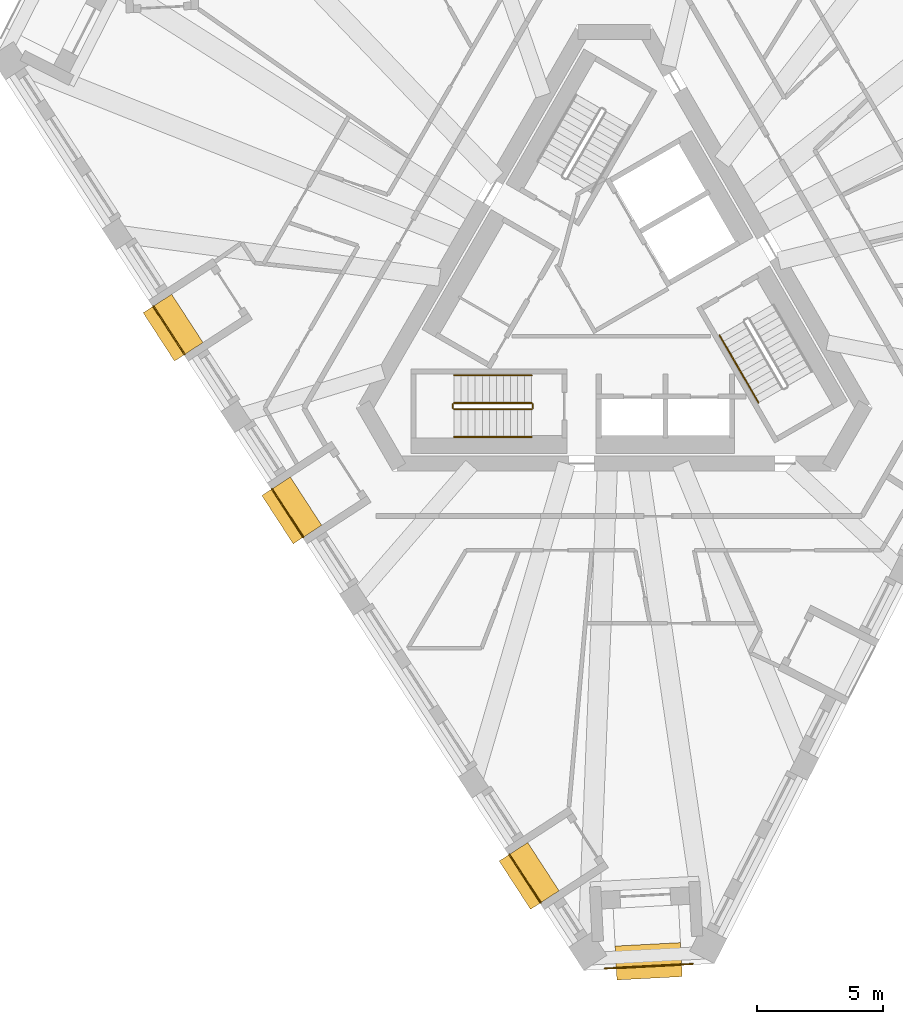
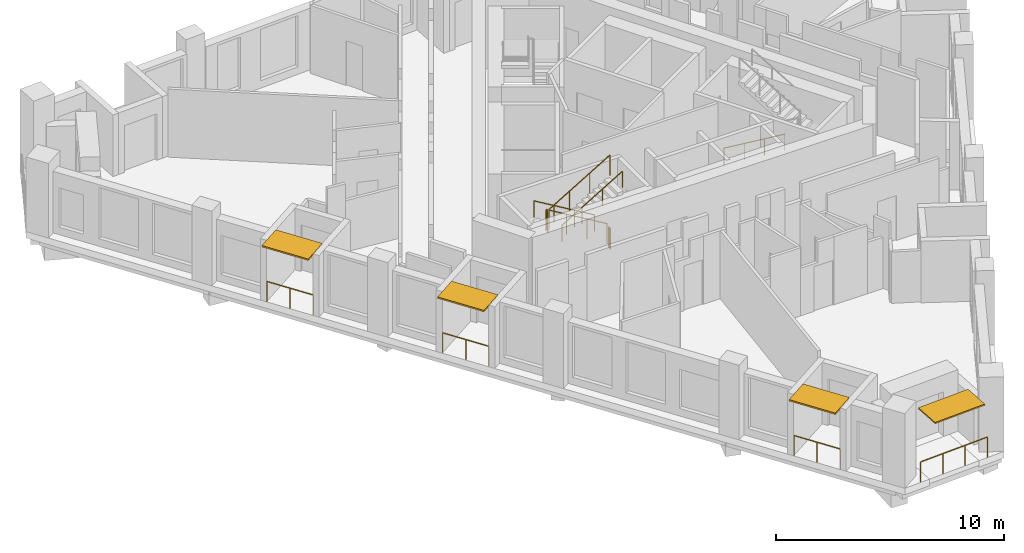
# One storey, part 10 of 13: 11 railings, 4 shading devices.
"""IFC4 building model written with IfcOpenShell, lengths in metres."""

from ifc_helpers import new_model, si_unit, direction, frame, origin, origin_2d, place, context, subcontext, project, spatial, rectangle, circle, extrude, material, layer, layer_set, type_object, element, save


model = new_model("IFC4")

# Units and contexts
model_context = context("Model", 3, precision=1e-05, world=origin(), true_north=direction((0.0, 1.0)))
body_context = subcontext(model_context, "Body", "Model", "MODEL_VIEW")
ifc_project = project(units=[si_unit("LENGTHUNIT", "METRE"), si_unit("AREAUNIT", "SQUARE_METRE"), si_unit("VOLUMEUNIT", "CUBIC_METRE"), si_unit("PLANEANGLEUNIT", "RADIAN"), si_unit("MASSUNIT", "GRAM", prefix="KILO")], contexts=[model_context])

# Site, building, storey
site_placement = place(None, origin())
site = spatial("IfcSite", under=ifc_project, at=site_placement, CompositionType="ELEMENT")
building_placement = place(site_placement, origin())
building = spatial("IfcBuilding", under=site, at=building_placement, Name="Tramontana Tower", CompositionType="ELEMENT")
storey_placement = place(building_placement, frame((0.0, 0.0, 286.39990234375)))
storey = spatial("IfcBuildingStorey", under=building, at=storey_placement, Name="L67", CompositionType="ELEMENT", Elevation=286.39990234375)

# Railings
ifc_material_1 = material(Name="Laminated glass balustrade", Category="glass")
railing_type_1 = type_object("IfcRailingType", Name="GD1 Loggia glass balustrade 1100", PredefinedType="BALUSTRADE", material=ifc_material_1)
railing_1_placement = place(storey_placement, frame((-18.313720703125, -0.20361328125, 0.0)))
element("IfcRailing", 1, at=railing_1_placement, inside=storey, type_object=railing_type_1, Name="Loggia balustrade L67 G7S0.4", PredefinedType="BALUSTRADE", context=body_context, shape_type="SweptSolid", body=[
    extrude(circle(Radius=0.02392578125, at=origin_2d()), frame((0.0, 0.0, 1.076171875), z_axis=(0.544706869801, -0.83862651162, 0.0), x_axis=(0.83862651162, 0.544706869801, 0.0)), (0.0, 0.0, 1.0), 2.286865234375),
    extrude(circle(Radius=0.02099609375, at=origin_2d()), origin(), (0.0, 0.0, 1.0), 1.052001953125),
    extrude(circle(Radius=0.02099609375, at=origin_2d()), frame((0.622802734375, -0.958984375, 0.0)), (0.0, 0.0, 1.0), 1.052001953125),
    extrude(circle(Radius=0.02099609375, at=origin_2d()), frame((1.24560546875, -1.917724609375, 0.0)), (0.0, 0.0, 1.0), 1.052001953125),
])
railing_2_placement = place(storey_placement, frame((-13.596923828125, -7.466552734375, 0.0)))
element("IfcRailing", 2, at=railing_2_placement, inside=storey, type_object=railing_type_1, Name="Loggia balustrade L67 G7S0.7", PredefinedType="BALUSTRADE", context=body_context, shape_type="SweptSolid", body=[
    extrude(circle(Radius=0.02392578125, at=origin_2d()), frame((0.0, 0.0, 1.076171875), z_axis=(0.544583011522, -0.838706947367, 0.0), x_axis=(0.838706947367, 0.544583011522, 0.0)), (0.0, 0.0, 1.0), 2.286865234375),
    extrude(circle(Radius=0.02099609375, at=origin_2d()), origin(), (0.0, 0.0, 1.0), 1.052001953125),
    extrude(circle(Radius=0.02099609375, at=origin_2d()), frame((0.62255859375, -0.958984375, 0.0)), (0.0, 0.0, 1.0), 1.052001953125),
    extrude(circle(Radius=0.02099609375, at=origin_2d()), frame((1.245361328125, -1.91796875, 0.0)), (0.0, 0.0, 1.0), 1.052001953125),
])
railing_3_placement = place(storey_placement, frame((-4.16357421875, -21.992919921875, 0.0)))
element("IfcRailing", 3, at=railing_3_placement, inside=storey, type_object=railing_type_1, Name="Loggia balustrade L67 G7S0.13", PredefinedType="BALUSTRADE", context=body_context, shape_type="SweptSolid", body=[
    extrude(circle(Radius=0.02392578125, at=origin_2d()), frame((0.0, 0.0, 1.076171875), z_axis=(0.544706869801, -0.83862651162, 0.0), x_axis=(0.83862651162, 0.544706869801, 0.0)), (0.0, 0.0, 1.0), 2.286865234375),
    extrude(circle(Radius=0.02099609375, at=origin_2d()), origin(), (0.0, 0.0, 1.0), 1.052001953125),
    extrude(circle(Radius=0.02099609375, at=origin_2d()), frame((0.622802734375, -0.958984375, 0.0)), (0.0, 0.0, 1.0), 1.052001953125),
    extrude(circle(Radius=0.02099609375, at=origin_2d()), frame((1.24560546875, -1.917724609375, 0.0)), (0.0, 0.0, 1.0), 1.052001953125),
])
railing_4_placement = place(storey_placement, frame((3.1328125, -26.342041015625, 0.0)))
element("IfcRailing", 4, at=railing_4_placement, inside=storey, type_object=railing_type_1, Name="Corner loggia balustrade L67 K71", PredefinedType="BALUSTRADE", context=body_context, shape_type="SweptSolid", body=[
    extrude(circle(Radius=0.02392578125, at=origin_2d()), frame((0.0, 0.0, 1.076171875), z_axis=(-0.998626871225, -0.0523867547, 0.0), x_axis=(0.0523867547, -0.998626871225, 0.0)), (0.0, 0.0, 1.0), 3.5),
    extrude(circle(Radius=0.02099609375, at=origin_2d()), origin(), (0.0, 0.0, 1.0), 1.052001953125),
    extrude(circle(Radius=0.02099609375, at=origin_2d()), frame((-1.1650390625, -0.06103515625, 0.0)), (0.0, 0.0, 1.0), 1.052001953125),
    extrude(circle(Radius=0.02099609375, at=origin_2d()), frame((-2.330078125, -0.122314453125, 0.0)), (0.0, 0.0, 1.0), 1.052001953125),
    extrude(circle(Radius=0.02099609375, at=origin_2d()), frame((-3.4951171875, -0.183349609375, 0.0)), (0.0, 0.0, 1.0), 1.052001953125),
])

# Shading devices
ifc_material_2 = material(Name="Precast concrete 60 MPa", Category="concrete")
ifc_layer_1 = layer(ifc_material_2, 0.070068359375)
ifc_layer_set_1 = layer_set([ifc_layer_1], Name="SS2 Stone sunshade blade 70")
shading_device_type_1 = type_object("IfcShadingDeviceType", Name="SS2 Stone sunshade blade 70", PredefinedType="USERDEFINED", material=ifc_layer_set_1)
shading_device_placement = place(storey_placement, frame((1.375244140625, -26.239013671875, 3.22998046875), z_axis=(0.0, 0.0, 1.0), x_axis=(-0.998629534755, -0.052335956243, 0.0)))
element("IfcShadingDevice", 5, at=shading_device_placement, inside=storey, type_object=shading_device_type_1, Name="Corner sunshade L67 K71", ObjectType="SUNSHADE", PredefinedType="USERDEFINED", context=body_context, shape_type="SweptSolid", body=[
    extrude(rectangle(XDim=2.60009765625, YDim=1.35009765625, at=origin_2d()), origin(), (0.0, 0.0, 1.0), 0.070068359375),
])
ifc_material_3 = material(Name="Precast concrete 60 MPa", Category="concrete")
ifc_layer_2 = layer(ifc_material_3, 0.080078125)
ifc_layer_set_2 = layer_set([ifc_layer_2], Name="SS3 Stone sunshade blade 80")
shading_device_type_2 = type_object("IfcShadingDeviceType", Name="SS3 Stone sunshade blade 80", PredefinedType="USERDEFINED", material=ifc_layer_set_2)
for number, where, z_axis, x_axis, name in (
    (6, (-17.52734375, -1.05615234375, 3.219970703125), (0.0, 0.0, 1.0), (0.544639035015, -0.838670567945, 0.0), "Sunshade L67 G7S0.4"),
    (7, (-12.810791015625, -8.3193359375, 3.219970703125), (0.0, 0.0, 1.0), (0.544639035015, -0.838670567945, 0.0), "Sunshade L67 G7S0.7"),
    (8, (-3.377197265625, -22.845458984375, 3.219970703125), (0.0, 0.0, 1.0), (0.544639035015, -0.838670567945, 0.0), "Sunshade L67 G7S0.13"),
):
    element("IfcShadingDevice", number, at=place(storey_placement, frame(where, z_axis=z_axis, x_axis=x_axis)), inside=storey, type_object=shading_device_type_2, Name=name, ObjectType="SUNSHADE", PredefinedType="USERDEFINED", context=body_context, shape_type="SweptSolid", body=[
        extrude(rectangle(XDim=2.286865234375, YDim=1.35009765625, at=origin_2d()), origin(), (0.0, 0.0, 1.0), 0.080078125),
    ])

# Railings
ifc_material_4 = material(Name="Painted steel", Category="steel")
railing_type_2 = type_object("IfcRailingType", Name="STAIR GUARD 1100", PredefinedType="GUARDRAIL", material=ifc_material_4)
railing_5_placement = place(storey_placement, frame((-3.280029296875, -4.050048828125, 0.166748046875)))
element("IfcRailing", 9, at=railing_5_placement, inside=storey, type_object=railing_type_2, Name="L67 ST2 stair guard 1", PredefinedType="GUARDRAIL", context=body_context, shape_type="SweptSolid", body=[
    extrude(circle(Radius=0.02392578125, at=origin_2d()), frame((0.0, 0.0, 1.076171875), z_axis=(-0.859308565015, 0.0, 0.511457515432), x_axis=(0.0, -1.0, 0.0)), (0.0, 0.0, 1.0), 3.58447265625),
    extrude(circle(Radius=0.02099609375, at=origin_2d()), origin(), (0.0, 0.0, 1.0), 1.052001953125),
    extrude(circle(Radius=0.02099609375, at=origin_2d()), frame((-1.026611328125, 0.0, 0.611083984375)), (0.0, 0.0, 1.0), 1.052001953125),
    extrude(circle(Radius=0.02099609375, at=origin_2d()), frame((-2.053466796875, 0.0, 1.22216796875)), (0.0, 0.0, 1.0), 1.052001953125),
    extrude(circle(Radius=0.02099609375, at=origin_2d()), frame((-3.080078125, 0.0, 1.833251953125)), (0.0, 0.0, 1.0), 1.052001953125),
])
railing_6_placement = place(storey_placement, frame((-6.360107421875, -4.300048828125, 2.166748046875)))
element("IfcRailing", 10, at=railing_6_placement, inside=storey, type_object=railing_type_2, Name="L67 ST2 stair guard 2", PredefinedType="GUARDRAIL", context=body_context, shape_type="SweptSolid", body=[
    extrude(circle(Radius=0.02392578125, at=origin_2d()), frame((0.0, 0.0, 1.076171875), z_axis=(0.859308565015, 0.0, 0.511457515432), x_axis=(0.0, 1.0, 0.0)), (0.0, 0.0, 1.0), 3.58447265625),
    extrude(circle(Radius=0.02099609375, at=origin_2d()), origin(), (0.0, 0.0, 1.0), 1.052001953125),
    extrude(circle(Radius=0.02099609375, at=origin_2d()), frame((1.026611328125, 0.0, 0.611083984375)), (0.0, 0.0, 1.0), 1.052001953125),
    extrude(circle(Radius=0.02099609375, at=origin_2d()), frame((2.053466796875, 0.0, 1.22216796875)), (0.0, 0.0, 1.0), 1.052001953125),
    extrude(circle(Radius=0.02099609375, at=origin_2d()), frame((3.080078125, 0.0, 1.833251953125)), (0.0, 0.0, 1.0), 1.052001953125),
])
for number, where, name in (
    (11, (-6.409912109375, -4.10009765625, 2.0), "L67 ST2 stair guard 3"),
    (12, (-3.22998046875, -4.10009765625, 0.0), "L67 ST2 stair guard 4"),
):
    element("IfcRailing", number, at=place(storey_placement, frame(where)), inside=storey, type_object=railing_type_2, Name=name, PredefinedType="GUARDRAIL", context=body_context, shape_type="SweptSolid", body=[
        extrude(circle(Radius=0.02392578125, at=origin_2d()), frame((0.0, 0.0, 1.076171875), z_axis=(0.0, -1.0, 0.0), x_axis=(1.0, 0.0, 0.0)), (0.0, 0.0, 1.0), 0.14990234375),
        extrude(circle(Radius=0.02099609375, at=origin_2d()), origin(), (0.0, 0.0, 1.0), 1.052001953125),
        extrude(circle(Radius=0.02099609375, at=origin_2d()), frame((0.0, -0.14990234375, 0.0)), (0.0, 0.0, 1.0), 1.052001953125),
    ])
ifc_material_5 = material(Name="Painted steel", Category="steel")
railing_type_3 = type_object("IfcRailingType", Name="STAIR HANDRAIL 900", PredefinedType="HANDRAIL", material=ifc_material_5)
railing_7_placement = place(storey_placement, frame((-3.280029296875, -2.949951171875, 0.166748046875)))
element("IfcRailing", 13, at=railing_7_placement, inside=storey, type_object=railing_type_3, Name="L67 ST2 stair handrail 1", PredefinedType="HANDRAIL", context=body_context, shape_type="SweptSolid", body=[
    extrude(circle(Radius=0.02392578125, at=origin_2d()), frame((0.0, 0.0, 0.8759765625), z_axis=(-0.859308565015, 0.0, 0.511457515432), x_axis=(0.0, -1.0, 0.0)), (0.0, 0.0, 1.0), 3.58447265625),
    extrude(circle(Radius=0.02099609375, at=origin_2d()), origin(), (0.0, 0.0, 1.0), 0.851806640625),
    extrude(circle(Radius=0.02099609375, at=origin_2d()), frame((-1.026611328125, 0.0, 0.611083984375)), (0.0, 0.0, 1.0), 0.851806640625),
    extrude(circle(Radius=0.02099609375, at=origin_2d()), frame((-2.053466796875, 0.0, 1.22216796875)), (0.0, 0.0, 1.0), 0.851806640625),
    extrude(circle(Radius=0.02099609375, at=origin_2d()), frame((-3.080078125, 0.0, 1.833251953125)), (0.0, 0.0, 1.0), 0.851806640625),
])
railing_8_placement = place(storey_placement, frame((-6.360107421875, -5.39990234375, 2.166748046875)))
element("IfcRailing", 14, at=railing_8_placement, inside=storey, type_object=railing_type_3, Name="L67 ST2 stair handrail 2", PredefinedType="HANDRAIL", context=body_context, shape_type="SweptSolid", body=[
    extrude(circle(Radius=0.02392578125, at=origin_2d()), frame((0.0, 0.0, 0.8759765625), z_axis=(0.859308565015, 0.0, 0.511457515432), x_axis=(0.0, 1.0, 0.0)), (0.0, 0.0, 1.0), 3.58447265625),
    extrude(circle(Radius=0.02099609375, at=origin_2d()), origin(), (0.0, 0.0, 1.0), 0.851806640625),
    extrude(circle(Radius=0.02099609375, at=origin_2d()), frame((1.026611328125, 0.0, 0.611083984375)), (0.0, 0.0, 1.0), 0.851806640625),
    extrude(circle(Radius=0.02099609375, at=origin_2d()), frame((2.053466796875, 0.0, 1.22216796875)), (0.0, 0.0, 1.0), 0.851806640625),
    extrude(circle(Radius=0.02099609375, at=origin_2d()), frame((3.080078125, 0.0, 1.833251953125)), (0.0, 0.0, 1.0), 0.851806640625),
])
railing_9_placement = place(storey_placement, frame((4.19482421875, -1.365478515625, 0.166748046875)))
element("IfcRailing", 15, at=railing_9_placement, inside=storey, type_object=railing_type_3, Name="L67 ST3 stair handrail 1", PredefinedType="HANDRAIL", context=body_context, shape_type="SweptSolid", body=[
    extrude(circle(Radius=0.02392578125, at=origin_2d()), frame((0.0, 0.0, 0.8759765625), z_axis=(0.429649414936, -0.744189839504, 0.511451721109), x_axis=(0.866029832698, 0.499992328818, 0.0)), (0.0, 0.0, 1.0), 3.58447265625),
    extrude(circle(Radius=0.02099609375, at=origin_2d()), origin(), (0.0, 0.0, 1.0), 0.851806640625),
    extrude(circle(Radius=0.02099609375, at=origin_2d()), frame((0.513427734375, -0.88916015625, 0.611083984375)), (0.0, 0.0, 1.0), 0.851806640625),
    extrude(circle(Radius=0.02099609375, at=origin_2d()), frame((1.026611328125, -1.7783203125, 1.22216796875)), (0.0, 0.0, 1.0), 0.851806640625),
    extrude(circle(Radius=0.02099609375, at=origin_2d()), frame((1.5400390625, -2.66748046875, 1.833251953125)), (0.0, 0.0, 1.0), 0.851806640625),
])

save(model, "model.ifc")
